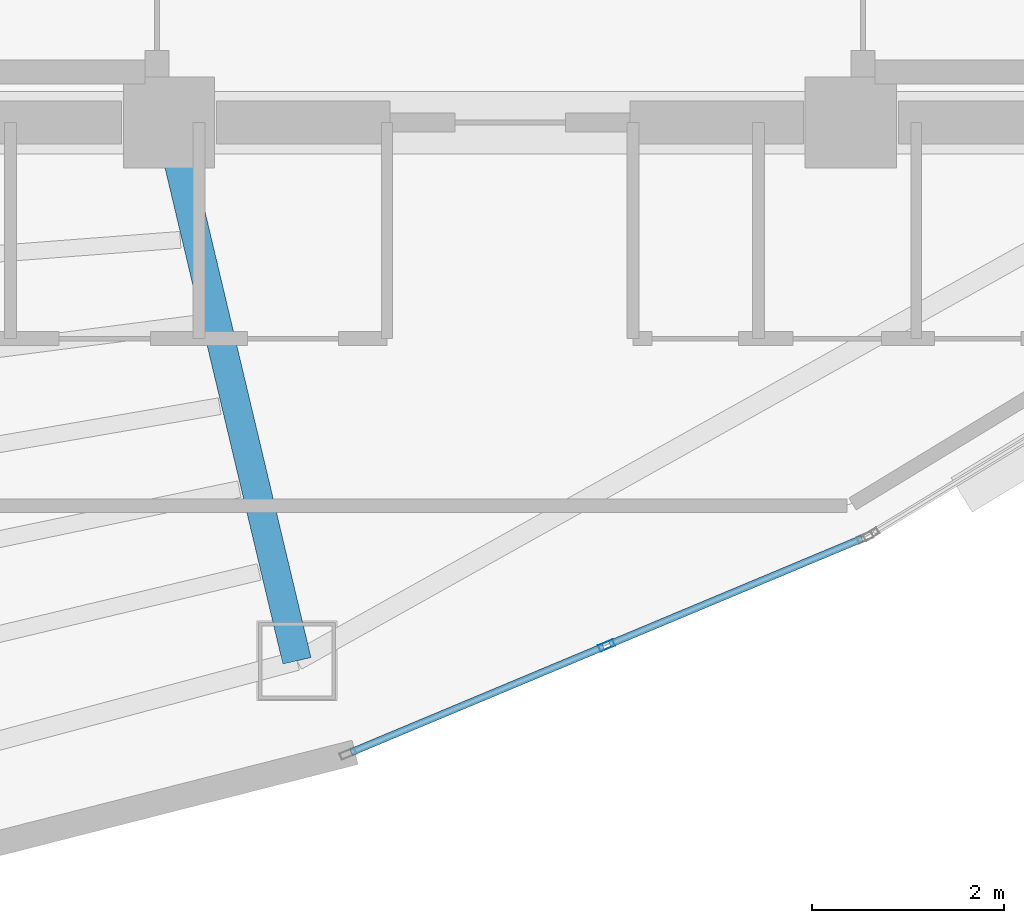
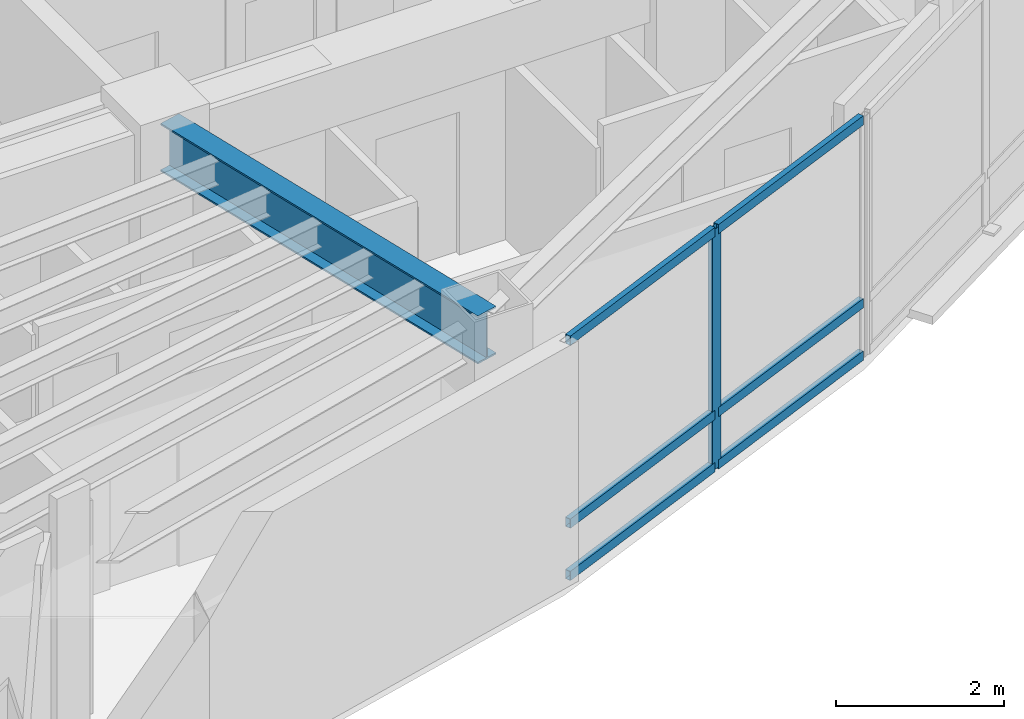
# One storey, part 3 of 15: 7 members, 1 beam, 1 element without a shape of its own.
"""IFC4 building model written with IfcOpenShell, lengths in metres."""

from ifc_helpers import new_model, si_unit, direction, frame, origin, origin_2d, place, context, subcontext, project, spatial, hollow_rectangle, i_section, extrude, material, layer, layer_set, material_profile, profile_set, type_object, element, aggregate, save


model = new_model("IFC4")

# Units and contexts
model_context = context("Model", 3, precision=1e-05, world=origin(), true_north=direction((0.0, 1.0)))
body_context = subcontext(model_context, "Body", "Model", "MODEL_VIEW")
ifc_project = project(units=[si_unit("LENGTHUNIT", "METRE"), si_unit("AREAUNIT", "SQUARE_METRE"), si_unit("VOLUMEUNIT", "CUBIC_METRE"), si_unit("PLANEANGLEUNIT", "RADIAN"), si_unit("MASSUNIT", "GRAM", prefix="KILO")], contexts=[model_context])

# Site, building, storey
site_placement = place(None, origin())
site = spatial("IfcSite", under=ifc_project, at=site_placement, CompositionType="ELEMENT")
building_placement = place(site_placement, origin())
building = spatial("IfcBuilding", under=site, at=building_placement, Name="Menara Vayukalpa", CompositionType="ELEMENT")
storey_placement = place(building_placement, frame((0.0, 0.0, 254.580078125)))
storey = spatial("IfcBuildingStorey", under=building, at=storey_placement, Name="L64", CompositionType="ELEMENT", Elevation=254.580078125)

# Beam
ifc_material_1 = material(Name="Steel S355", Category="steel")
ifc_material_profile_1 = material_profile(ifc_material_1, i_section(OverallWidth=0.300048828125, OverallDepth=0.699951171875, WebThickness=0.012939453125, FlangeThickness=0.02392578125, at=origin_2d()), Name="WF 700x300x13x24")
ifc_profile_set_1 = profile_set([ifc_material_profile_1], Name="Steel S355")
beam_type = type_object("IfcBeamType", Name="BM-PG5", PredefinedType="BEAM", material=ifc_profile_set_1)
beam_placement = place(storey_placement, frame((22.10791015625, 16.956787109375, 3.14990234375), z_axis=(0.231167310854, -0.972914011818, 0.0), x_axis=(0.972914011818, 0.231167310854, 0.0)))
element("IfcBeam", 1, at=beam_placement, inside=storey, type_object=beam_type, Name="L64 Primary Radial Girder RG08", PredefinedType="BEAM", context=body_context, shape_type="SweptSolid", body=[
    extrude(i_section(OverallWidth=0.300048828125, OverallDepth=0.699951171875, WebThickness=0.012939453125, FlangeThickness=0.02392578125, at=origin_2d()), origin(), (0.0, 0.0, 1.0), 5.5107421875),
])

# Curtain wall, members
ifc_material_2 = material(Name="Anodised Terracotta Aluminium Alloy 6063-T6", Category="masonry")
ifc_layer = layer(ifc_material_2, 0.1650390625)
ifc_layer_set = layer_set([ifc_layer], Name="Anodised Terracotta Aluminium Alloy 6063-T6")
curtain_wall_type = type_object("IfcCurtainWallType", Name="CW-CW6", PredefinedType="USERDEFINED", material=ifc_layer_set)
curtain_wall_placement = place(storey_placement, origin())
curtain_wall = element("IfcCurtainWall", 2, at=curtain_wall_placement, inside=storey, type_object=curtain_wall_type, Name="L64 Observation and Executive Curtain Wall CW6 16", ObjectType="UNITISED", PredefinedType="USERDEFINED")
ifc_material_3 = material(Name="Anodised Terracotta Aluminium Alloy 6063-T6", Category="masonry")
ifc_material_profile_2 = material_profile(ifc_material_3, hollow_rectangle(XDim=0.070068359375, YDim=0.1650390625, WallThickness=0.00390625, at=origin_2d()), Name="ALU 70x165x4")
ifc_profile_set_2 = profile_set([ifc_material_profile_2], Name="Anodised Terracotta Aluminium Alloy 6063-T6")
member_type_1 = type_object("IfcMemberType", Name="CWM-CW6", PredefinedType="MULLION", material=ifc_profile_set_2)
member_1_placement = place(storey_placement, frame((26.60595703125, 11.7548828125, 0.0), z_axis=(0.0, 0.0, 1.0), x_axis=(-0.385899911703, 0.922540653927, 0.0)))
member_1 = element("IfcMember", 3, at=member_1_placement, type_object=member_type_1, Name="CW6 mullion 2", PredefinedType="MULLION", context=body_context, shape_type="SweptSolid", body=[
    extrude(hollow_rectangle(XDim=0.070068359375, YDim=0.1650390625, WallThickness=0.00390625, at=origin_2d()), origin(), (0.0, 0.0, 1.0), 3.5),
])
ifc_material_4 = material(Name="Anodised Terracotta Aluminium Alloy 6063-T6", Category="masonry")
ifc_material_profile_3 = material_profile(ifc_material_4, hollow_rectangle(XDim=0.074951171875, YDim=0.135009765625, WallThickness=0.00390625, at=origin_2d()), Name="ALU 75x135x4")
ifc_profile_set_3 = profile_set([ifc_material_profile_3], Name="Anodised Terracotta Aluminium Alloy 6063-T6")
member_type_2 = type_object("IfcMemberType", Name="CWT-CW6", PredefinedType="USERDEFINED", material=ifc_profile_set_3)
member_2_placement = place(storey_placement, frame((23.945556640625, 10.64208984375, 0.037353515625), z_axis=(0.922541050276, 0.38589896418, 0.0), x_axis=(-0.38589896418, 0.922541050276, 0.0)))
member_2 = element("IfcMember", 4, at=member_2_placement, type_object=member_type_2, Name="CW6 transom 1.1", ObjectType="TRANSOM", PredefinedType="USERDEFINED", context=body_context, shape_type="SweptSolid", body=[
    extrude(hollow_rectangle(XDim=0.074951171875, YDim=0.135009765625, WallThickness=0.00390625, at=origin_2d()), origin(), (0.0, 0.0, 1.0), 2.848876953125),
])
member_3_placement = place(storey_placement, frame((23.945556640625, 10.64208984375, 0.7998046875), z_axis=(0.922541050276, 0.38589896418, 0.0), x_axis=(-0.38589896418, 0.922541050276, 0.0)))
member_3 = element("IfcMember", 5, at=member_3_placement, type_object=member_type_2, Name="CW6 transom 1.2", ObjectType="TRANSOM", PredefinedType="USERDEFINED", context=body_context, shape_type="SweptSolid", body=[
    extrude(hollow_rectangle(XDim=0.074951171875, YDim=0.135009765625, WallThickness=0.00390625, at=origin_2d()), origin(), (0.0, 0.0, 1.0), 2.848876953125),
])
member_4_placement = place(storey_placement, frame((23.945556640625, 10.64208984375, 3.46240234375), z_axis=(0.922541050276, 0.38589896418, 0.0), x_axis=(-0.38589896418, 0.922541050276, 0.0)))
member_4 = element("IfcMember", 6, at=member_4_placement, type_object=member_type_2, Name="CW6 transom 1.3", ObjectType="TRANSOM", PredefinedType="USERDEFINED", context=body_context, shape_type="SweptSolid", body=[
    extrude(hollow_rectangle(XDim=0.074951171875, YDim=0.135009765625, WallThickness=0.00390625, at=origin_2d()), origin(), (0.0, 0.0, 1.0), 2.848876953125),
])
member_5_placement = place(storey_placement, frame((26.638427734375, 11.768310546875, 0.037353515625), z_axis=(0.922528286758, 0.385929475592, 0.0), x_axis=(-0.385929475592, 0.922528286758, 0.0)))
member_5 = element("IfcMember", 7, at=member_5_placement, type_object=member_type_2, Name="CW6 transom 2.1", ObjectType="TRANSOM", PredefinedType="USERDEFINED", context=body_context, shape_type="SweptSolid", body=[
    extrude(hollow_rectangle(XDim=0.074951171875, YDim=0.135009765625, WallThickness=0.00390625, at=origin_2d()), origin(), (0.0, 0.0, 1.0), 2.8486328125),
])
member_6_placement = place(storey_placement, frame((26.638427734375, 11.768310546875, 0.7998046875), z_axis=(0.922528286758, 0.385929475592, 0.0), x_axis=(-0.385929475592, 0.922528286758, 0.0)))
member_6 = element("IfcMember", 8, at=member_6_placement, type_object=member_type_2, Name="CW6 transom 2.2", ObjectType="TRANSOM", PredefinedType="USERDEFINED", context=body_context, shape_type="SweptSolid", body=[
    extrude(hollow_rectangle(XDim=0.074951171875, YDim=0.135009765625, WallThickness=0.00390625, at=origin_2d()), origin(), (0.0, 0.0, 1.0), 2.8486328125),
])
member_7_placement = place(storey_placement, frame((26.638427734375, 11.768310546875, 3.46240234375), z_axis=(0.922528286758, 0.385929475592, 0.0), x_axis=(-0.385929475592, 0.922528286758, 0.0)))
member_7 = element("IfcMember", 9, at=member_7_placement, type_object=member_type_2, Name="CW6 transom 2.3", ObjectType="TRANSOM", PredefinedType="USERDEFINED", context=body_context, shape_type="SweptSolid", body=[
    extrude(hollow_rectangle(XDim=0.074951171875, YDim=0.135009765625, WallThickness=0.00390625, at=origin_2d()), origin(), (0.0, 0.0, 1.0), 2.8486328125),
])
aggregate(curtain_wall, [member_1, member_2, member_3, member_4, member_5, member_6, member_7])

save(model, "model.ifc")
